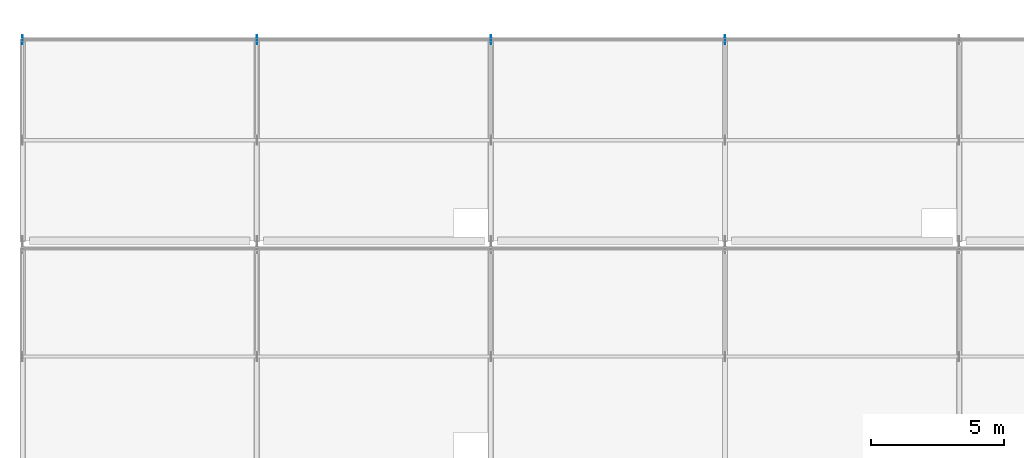
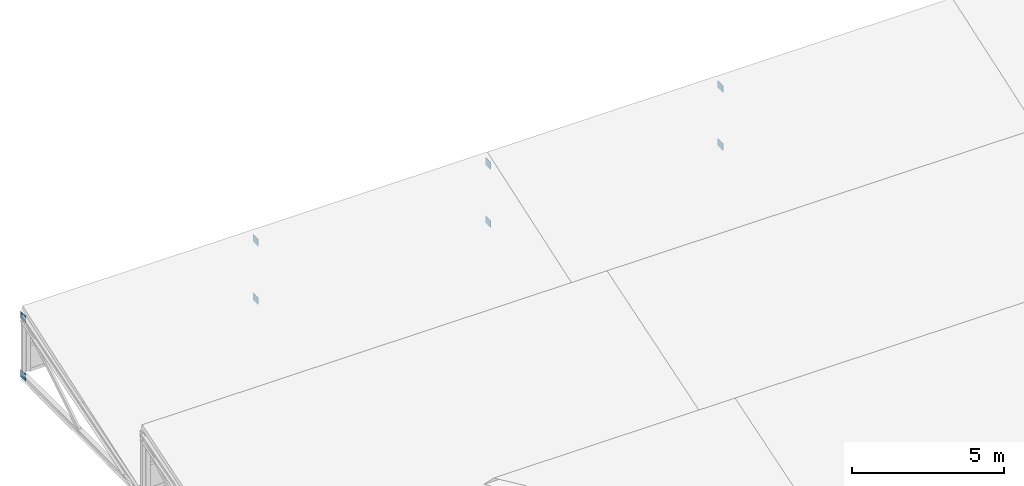
# One storey, part 34 of 40: 8 plates.
"""IFC4 building model written with IfcOpenShell, lengths in metres."""

from ifc_helpers import new_model, si_unit, direction, frame, origin, origin_2d, place, context, subcontext, project, spatial, rectangle, extrude, material, layer, layer_set, type_object, element, save


model = new_model("IFC4")

# Units and contexts
model_context = context("Model", 3, precision=1e-05, world=origin(), true_north=direction((0.0, 1.0)))
body_context = subcontext(model_context, "Body", "Model", "MODEL_VIEW")
ifc_project = project(units=[si_unit("LENGTHUNIT", "METRE"), si_unit("AREAUNIT", "SQUARE_METRE"), si_unit("VOLUMEUNIT", "CUBIC_METRE"), si_unit("PLANEANGLEUNIT", "RADIAN"), si_unit("MASSUNIT", "GRAM", prefix="KILO")], contexts=[model_context])

# Site, building, storey
site_placement = place(None, origin())
site = spatial("IfcSite", under=ifc_project, at=site_placement, CompositionType="ELEMENT")
building_placement = place(site_placement, origin())
building = spatial("IfcBuilding", under=site, at=building_placement, Name="Brinegate Botanical Conservatory", CompositionType="ELEMENT")
storey_placement = place(building_placement, frame((0.0, 0.0, 19.199951171875)))
storey = spatial("IfcBuildingStorey", under=building, at=storey_placement, Name="L05", CompositionType="ELEMENT", Elevation=19.199951171875)

# Plates
ifc_material = material(Name="Welded node steel Q355GJ / S355", Category="steel")
ifc_layer = layer(ifc_material, 0.01806640625, Name="Welded node steel Q355GJ / S355", Category="steel")
ifc_layer_set = layer_set([ifc_layer], Name="Welded node steel Q355GJ / S355")
plate_type = type_object("IfcPlateType", Name="Plate_GS-02", PredefinedType="USERDEFINED", material=ifc_layer_set)
for number, where, z_axis, x_axis, name in (
    (1, (50.800048828125, 111.14990234375, -0.1201171875), (0.0, 0.0, 1.0), (1.0, 0.0, 0.0), "Sawtooth truss gusset node GS-02 B3.T1.NB"),
    (2, (50.800048828125, 111.14990234375, 2.2099609375), (0.0, 0.0, 1.0), (1.0, 0.0, 0.0), "Sawtooth truss gusset node GS-02 B3.T1.NT"),
    (3, (59.60009765625, 111.14990234375, -0.1201171875), (0.0, 0.0, 1.0), (1.0, 0.0, 0.0), "Sawtooth truss gusset node GS-02 B3.T2.NB"),
    (4, (59.60009765625, 111.14990234375, 2.2099609375), (0.0, 0.0, 1.0), (1.0, 0.0, 0.0), "Sawtooth truss gusset node GS-02 B3.T2.NT"),
    (5, (68.39990234375, 111.14990234375, -0.1201171875), (0.0, 0.0, 1.0), (1.0, 0.0, 0.0), "Sawtooth truss gusset node GS-02 B3.T3.NB"),
    (6, (68.39990234375, 111.14990234375, 2.2099609375), (0.0, 0.0, 1.0), (1.0, 0.0, 0.0), "Sawtooth truss gusset node GS-02 B3.T3.NT"),
    (7, (77.199951171875, 111.14990234375, -0.1201171875), (0.0, 0.0, 1.0), (1.0, 0.0, 0.0), "Sawtooth truss gusset node GS-02 B3.T4.NB"),
    (8, (77.199951171875, 111.14990234375, 2.2099609375), (0.0, 0.0, 1.0), (1.0, 0.0, 0.0), "Sawtooth truss gusset node GS-02 B3.T4.NT"),
):
    element("IfcPlate", number, at=place(storey_placement, frame(where, z_axis=z_axis, x_axis=x_axis)), inside=storey, type_object=plate_type, Name=name, ObjectType="GUSSET PLATE", PredefinedType="USERDEFINED", context=body_context, shape_type="SweptSolid", body=[
        extrude(rectangle(XDim=0.01806640625, YDim=0.340087890625, at=origin_2d()), origin(), (0.0, 0.0, 1.0), 0.280029296875),
    ])

save(model, "model.ifc")
